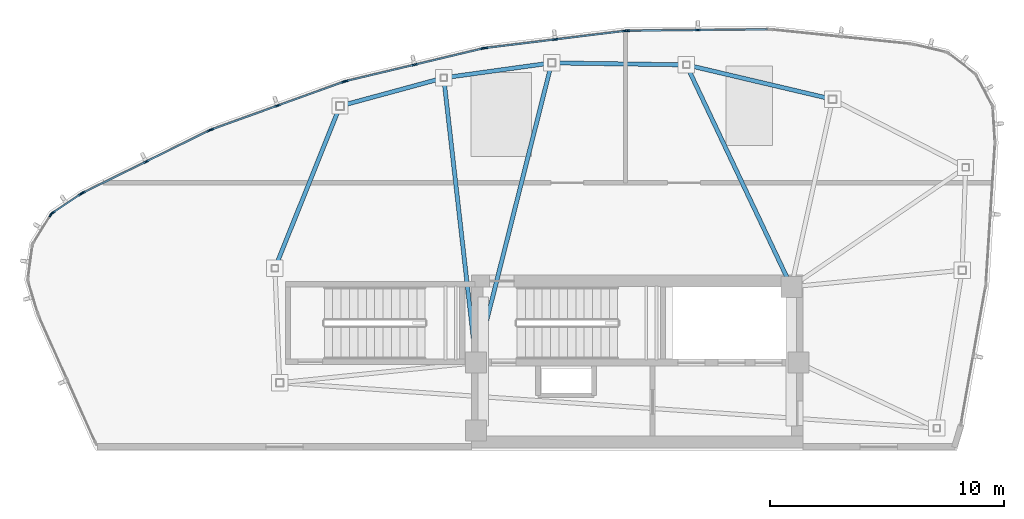
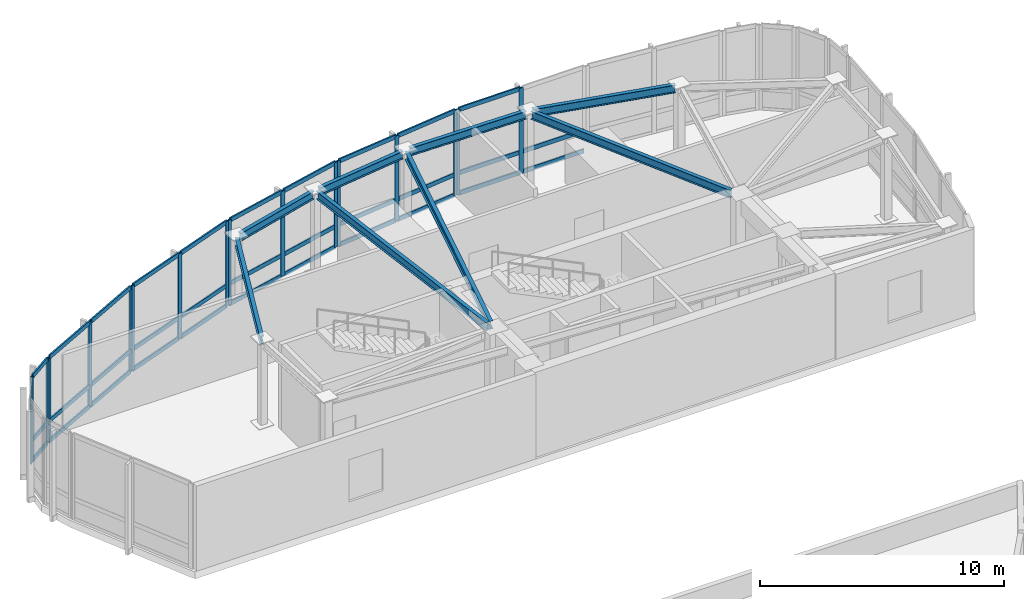
# One storey, part 4 of 11: 49 members, 8 beams, 7 elements without a shape of their own.
"""IFC4 building model written with IfcOpenShell, lengths in metres."""

from ifc_helpers import new_model, si_unit, direction, frame, origin, origin_2d, place, context, subcontext, project, spatial, hollow_rectangle, i_section, extrude, source, transform, mapped, material, layer, layer_set, material_profile, profile_set, type_object, type_shapes, element, aggregate, save


model = new_model("IFC4")

# Units and contexts
model_context = context("Model", 3, precision=1e-05, world=origin(), true_north=direction((0.0, 1.0)))
body_context = subcontext(model_context, "Body", "Model", "MODEL_VIEW")
ifc_project = project(units=[si_unit("LENGTHUNIT", "METRE"), si_unit("AREAUNIT", "SQUARE_METRE"), si_unit("VOLUMEUNIT", "CUBIC_METRE"), si_unit("PLANEANGLEUNIT", "RADIAN"), si_unit("MASSUNIT", "GRAM", prefix="KILO")], contexts=[model_context])

# Site, building, storey
site_placement = place(None, origin())
site = spatial("IfcSite", under=ifc_project, at=site_placement, CompositionType="ELEMENT")
building_placement = place(site_placement, origin())
building = spatial("IfcBuilding", under=site, at=building_placement, Name="Tavelor Broadcast Tower", CompositionType="ELEMENT")
storey_placement = place(building_placement, frame((0.0, 0.0, 345.89990234375)))
storey = spatial("IfcBuildingStorey", under=building, at=storey_placement, Name="L82", CompositionType="ELEMENT", Elevation=345.89990234375)

# Beams
ifc_material_1 = material(Name="Steel S355", Category="steel")
ifc_material_profile_1 = material_profile(ifc_material_1, i_section(OverallWidth=0.179931640625, OverallDepth=0.39990234375, WebThickness=0.008544921875, FlangeThickness=0.013427734375, at=origin_2d()), Name="IPE 400")
ifc_profile_set_1 = profile_set([ifc_material_profile_1], Name="Steel S355")
beam_type = type_object("IfcBeamType", Name="Crown Ring Spandrel Beam IPE400", PredefinedType="SPANDREL", material=ifc_profile_set_1)
beam_1_placement = place(storey_placement, frame((37.20654296875, 58.77197265625, 4.050048828125), z_axis=(-0.372319972441, -0.928104432767, 0.0), x_axis=(0.928104432767, -0.372319972441, 0.0)))
element("IfcBeam", 1, at=beam_1_placement, inside=storey, type_object=beam_type, Name="L82 Crown Peak A Ring Spandrel 1", PredefinedType="SPANDREL", context=body_context, shape_type="SweptSolid", body=[
    extrude(i_section(OverallWidth=0.179931640625, OverallDepth=0.39990234375, WebThickness=0.008544921875, FlangeThickness=0.013427734375, at=origin_2d()), origin(), (0.0, 0.0, 1.0), 7.1552734375),
])
beam_2_placement = place(storey_placement, frame((58.190185546875, 59.26708984375, 4.050048828125), z_axis=(-0.973331019838, 0.229405156485, 0.0), x_axis=(-0.229405156485, -0.973331019838, 0.0)))
element("IfcBeam", 2, at=beam_2_placement, inside=storey, type_object=beam_type, Name="L82 Crown Peak A Ring Spandrel 7", PredefinedType="SPANDREL", context=body_context, shape_type="SweptSolid", body=[
    extrude(i_section(OverallWidth=0.179931640625, OverallDepth=0.39990234375, WebThickness=0.008544921875, FlangeThickness=0.013427734375, at=origin_2d()), origin(), (0.0, 0.0, 1.0), 6.10009765625),
])
beam_3_placement = place(storey_placement, frame((51.950927734375, 60.703857421875, 4.050048828125), z_axis=(-0.999890824975, 0.01477626921, 0.0), x_axis=(-0.01477626921, -0.999890824975, 0.0)))
element("IfcBeam", 3, at=beam_3_placement, inside=storey, type_object=beam_type, Name="L82 Crown Peak A Ring Spandrel 8", PredefinedType="SPANDREL", context=body_context, shape_type="SweptSolid", body=[
    extrude(i_section(OverallWidth=0.179931640625, OverallDepth=0.39990234375, WebThickness=0.008544921875, FlangeThickness=0.013427734375, at=origin_2d()), origin(), (0.0, 0.0, 1.0), 5.435791015625),
])
beam_4_placement = place(storey_placement, frame((56.415283203125, 51.590576171875, 4.050048828125), z_axis=(-0.427748000898, 0.903898029497, 0.0), x_axis=(-0.903898029497, -0.427748000898, 0.0)))
element("IfcBeam", 4, at=beam_4_placement, inside=storey, type_object=beam_type, Name="L82 Crown Peak A Radial Beam 8", PredefinedType="SPANDREL", context=body_context, shape_type="SweptSolid", body=[
    extrude(i_section(OverallWidth=0.179931640625, OverallDepth=0.39990234375, WebThickness=0.008544921875, FlangeThickness=0.013427734375, at=origin_2d()), origin(), (0.0, 0.0, 1.0), 9.926513671875),
])
beam_5_placement = place(storey_placement, frame((46.160400390625, 60.762451171875, 4.050048828125), z_axis=(-0.990512514029, -0.13742255838, 0.0), x_axis=(0.13742255838, -0.990512514029, 0.0)))
element("IfcBeam", 5, at=beam_5_placement, inside=storey, type_object=beam_type, Name="L82 Crown Peak A Ring Spandrel 9", PredefinedType="SPANDREL", context=body_context, shape_type="SweptSolid", body=[
    extrude(i_section(OverallWidth=0.179931640625, OverallDepth=0.39990234375, WebThickness=0.008544921875, FlangeThickness=0.013427734375, at=origin_2d()), origin(), (0.0, 0.0, 1.0), 4.334716796875),
])
beam_6_placement = place(storey_placement, frame((43.20556640625, 48.368896484375, 4.050048828125), z_axis=(0.244522996769, 0.969643493275, 0.0), x_axis=(-0.969643493275, 0.244522996769, 0.0)))
element("IfcBeam", 6, at=beam_6_placement, inside=storey, type_object=beam_type, Name="L82 Crown Peak A Radial Beam 9", PredefinedType="SPANDREL", context=body_context, shape_type="SweptSolid", body=[
    extrude(i_section(OverallWidth=0.179931640625, OverallDepth=0.39990234375, WebThickness=0.008544921875, FlangeThickness=0.013427734375, at=origin_2d()), origin(), (0.0, 0.0, 1.0), 12.628173828125),
])
beam_7_placement = place(storey_placement, frame((41.5673828125, 60.105712890625, 4.050048828125), z_axis=(-0.964933753027, -0.262493528053, 0.0), x_axis=(0.262493528053, -0.964933753027, 0.0)))
element("IfcBeam", 7, at=beam_7_placement, inside=storey, type_object=beam_type, Name="L82 Crown Peak A Ring Spandrel 10", PredefinedType="SPANDREL", context=body_context, shape_type="SweptSolid", body=[
    extrude(i_section(OverallWidth=0.179931640625, OverallDepth=0.39990234375, WebThickness=0.008544921875, FlangeThickness=0.013427734375, at=origin_2d()), origin(), (0.0, 0.0, 1.0), 4.27197265625),
])
beam_8_placement = place(storey_placement, frame((43.05126953125, 48.379150390625, 4.050048828125), z_axis=(-0.112824398256, 0.993614943103, 0.0), x_axis=(-0.993614943103, -0.112824398256, 0.0)))
element("IfcBeam", 8, at=beam_8_placement, inside=storey, type_object=beam_type, Name="L82 Crown Peak A Radial Beam 10", PredefinedType="SPANDREL", context=body_context, shape_type="SweptSolid", body=[
    extrude(i_section(OverallWidth=0.179931640625, OverallDepth=0.39990234375, WebThickness=0.008544921875, FlangeThickness=0.013427734375, at=origin_2d()), origin(), (0.0, 0.0, 1.0), 11.689453125),
])

# Curtain wall, members
ifc_material_2 = material(Name="Architectural Anodized Aluminium", Category="aluminium")
ifc_layer = layer(ifc_material_2, 0.2099609375)
ifc_layer_set = layer_set([ifc_layer], Name="Architectural Anodized Aluminium")
curtain_wall_type = type_object("IfcCurtainWallType", Name="Split-Crown Beacon Curtain Wall CW06", PredefinedType="NOTDEFINED", material=ifc_layer_set)
curtain_wall_1_placement = place(storey_placement, origin())
curtain_wall_1 = element("IfcCurtainWall", 9, at=curtain_wall_1_placement, inside=storey, type_object=curtain_wall_type, Name="L82 Curtain Wall CW06 Run 962", PredefinedType="NOTDEFINED")
ifc_material_profile_2 = material_profile(ifc_material_2, hollow_rectangle(XDim=0.072021484375, YDim=0.2099609375, WallThickness=0.02197265625, at=origin_2d()), Name="RHS 72x210x22")
ifc_profile_set_2 = profile_set([ifc_material_profile_2], Name="Architectural Anodized Aluminium")
member_type_1 = type_object("IfcMemberType", Name="CW06 Extruded Aluminium Mullion 72x210", PredefinedType="MULLION", material=ifc_profile_set_2)
shared_shape_1 = source(origin(), body_context, "Body", "SweptSolid", [
    extrude(hollow_rectangle(XDim=0.072021484375, YDim=0.2099609375, WallThickness=0.02197265625, at=origin_2d()), origin(), (0.0, 0.0, 1.0), 4.25),
])
type_shapes(member_type_1, [shared_shape_1])
member_1_placement = place(storey_placement, frame((52.595947265625, 62.19189453125, 0.0), z_axis=(0.0, 0.0, 1.0), x_axis=(0.009638896471, -0.999953544758, 0.0)))
member_1 = element("IfcMember", 10, at=member_1_placement, type_object=member_type_1, Name="CW06 mullion 2", PredefinedType="MULLION", context=body_context, shape_type="MappedRepresentation", body=[
    mapped(shared_shape_1, transform((0.0, 0.0, 0.0), scale=1.0)),
])
member_2_placement = place(storey_placement, frame((49.581787109375, 62.162841796875, 0.0), z_axis=(0.0, 0.0, 1.0), x_axis=(0.009638896471, -0.999953544758, 0.0)))
member_2 = element("IfcMember", 11, at=member_2_placement, type_object=member_type_1, Name="CW06 mullion 3", PredefinedType="MULLION", context=body_context, shape_type="MappedRepresentation", body=[
    mapped(shared_shape_1, transform((0.0, 0.0, 0.0), scale=1.0)),
])

curtain_wall_2_placement = place(storey_placement, origin())
curtain_wall_2 = element("IfcCurtainWall", 12, at=curtain_wall_2_placement, inside=storey, type_object=curtain_wall_type, Name="L82 Curtain Wall CW06 Run 963", PredefinedType="NOTDEFINED")
member_3_placement = place(storey_placement, frame((49.480224609375, 62.15625, 0.0), z_axis=(0.0, 0.0, 1.0), x_axis=(0.121601178033, -0.992579041437, 0.0)))
member_3 = element("IfcMember", 13, at=member_3_placement, type_object=member_type_1, Name="CW06 mullion 1", PredefinedType="MULLION", context=body_context, shape_type="MappedRepresentation", body=[
    mapped(shared_shape_1, transform((0.0, 0.0, 0.0), scale=1.0)),
])
member_4_placement = place(storey_placement, frame((46.488525390625, 61.789794921875, 0.0), z_axis=(0.0, 0.0, 1.0), x_axis=(0.121601178033, -0.992579041437, 0.0)))
member_4 = element("IfcMember", 14, at=member_4_placement, type_object=member_type_1, Name="CW06 mullion 2", PredefinedType="MULLION", context=body_context, shape_type="MappedRepresentation", body=[
    mapped(shared_shape_1, transform((0.0, 0.0, 0.0), scale=1.0)),
])
member_5_placement = place(storey_placement, frame((43.496826171875, 61.42333984375, 0.0), z_axis=(0.0, 0.0, 1.0), x_axis=(0.121601178033, -0.992579041437, 0.0)))
member_5 = element("IfcMember", 15, at=member_5_placement, type_object=member_type_1, Name="CW06 mullion 3", PredefinedType="MULLION", context=body_context, shape_type="MappedRepresentation", body=[
    mapped(shared_shape_1, transform((0.0, 0.0, 0.0), scale=1.0)),
])

curtain_wall_3_placement = place(storey_placement, origin())
curtain_wall_3 = element("IfcCurtainWall", 16, at=curtain_wall_3_placement, inside=storey, type_object=curtain_wall_type, Name="L82 Curtain Wall CW06 Run 964", PredefinedType="NOTDEFINED")
member_6_placement = place(storey_placement, frame((43.396484375, 61.4052734375, 0.0), z_axis=(0.0, 0.0, 1.0), x_axis=(0.232022375115, -0.972710448924, 0.0)))
member_6 = element("IfcMember", 17, at=member_6_placement, type_object=member_type_1, Name="CW06 mullion 1", PredefinedType="MULLION", context=body_context, shape_type="MappedRepresentation", body=[
    mapped(shared_shape_1, transform((0.0, 0.0, 0.0), scale=1.0)),
])
member_7_placement = place(storey_placement, frame((40.464599609375, 60.705810546875, 0.0), z_axis=(0.0, 0.0, 1.0), x_axis=(0.232022375115, -0.972710448924, 0.0)))
member_7 = element("IfcMember", 18, at=member_7_placement, type_object=member_type_1, Name="CW06 mullion 2", PredefinedType="MULLION", context=body_context, shape_type="MappedRepresentation", body=[
    mapped(shared_shape_1, transform((0.0, 0.0, 0.0), scale=1.0)),
])
member_8_placement = place(storey_placement, frame((37.53271484375, 60.006591796875, 0.0), z_axis=(0.0, 0.0, 1.0), x_axis=(0.232022375115, -0.972710448924, 0.0)))
member_8 = element("IfcMember", 19, at=member_8_placement, type_object=member_type_1, Name="CW06 mullion 3", PredefinedType="MULLION", context=body_context, shape_type="MappedRepresentation", body=[
    mapped(shared_shape_1, transform((0.0, 0.0, 0.0), scale=1.0)),
])

curtain_wall_4_placement = place(storey_placement, origin())
curtain_wall_4 = element("IfcCurtainWall", 20, at=curtain_wall_4_placement, inside=storey, type_object=curtain_wall_type, Name="L82 Curtain Wall CW06 Run 965", PredefinedType="NOTDEFINED")
member_9_placement = place(storey_placement, frame((37.43505859375, 59.9775390625, 0.0), z_axis=(0.0, 0.0, 1.0), x_axis=(0.339525627966, -0.940596804138, 0.0)))
member_9 = element("IfcMember", 21, at=member_9_placement, type_object=member_type_1, Name="CW06 mullion 1", PredefinedType="MULLION", context=body_context, shape_type="MappedRepresentation", body=[
    mapped(shared_shape_1, transform((0.0, 0.0, 0.0), scale=1.0)),
])
member_10_placement = place(storey_placement, frame((34.60009765625, 58.9541015625, 0.0), z_axis=(0.0, 0.0, 1.0), x_axis=(0.339525627966, -0.940596804138, 0.0)))
member_10 = element("IfcMember", 22, at=member_10_placement, type_object=member_type_1, Name="CW06 mullion 2", PredefinedType="MULLION", context=body_context, shape_type="MappedRepresentation", body=[
    mapped(shared_shape_1, transform((0.0, 0.0, 0.0), scale=1.0)),
])
member_11_placement = place(storey_placement, frame((31.764892578125, 57.9306640625, 0.0), z_axis=(0.0, 0.0, 1.0), x_axis=(0.339525627966, -0.940596804138, 0.0)))
member_11 = element("IfcMember", 23, at=member_11_placement, type_object=member_type_1, Name="CW06 mullion 3", PredefinedType="MULLION", context=body_context, shape_type="MappedRepresentation", body=[
    mapped(shared_shape_1, transform((0.0, 0.0, 0.0), scale=1.0)),
])

curtain_wall_5_placement = place(storey_placement, origin())
curtain_wall_5 = element("IfcCurtainWall", 24, at=curtain_wall_5_placement, inside=storey, type_object=curtain_wall_type, Name="L82 Curtain Wall CW06 Run 966", PredefinedType="NOTDEFINED")
member_12_placement = place(storey_placement, frame((31.67138671875, 57.890869140625, 0.0), z_axis=(0.0, 0.0, 1.0), x_axis=(0.442741743932, -0.896649177873, 0.0)))
member_12 = element("IfcMember", 25, at=member_12_placement, type_object=member_type_1, Name="CW06 mullion 1", PredefinedType="MULLION", context=body_context, shape_type="MappedRepresentation", body=[
    mapped(shared_shape_1, transform((0.0, 0.0, 0.0), scale=1.0)),
])
member_13_placement = place(storey_placement, frame((28.96923828125, 56.556640625, 0.0), z_axis=(0.0, 0.0, 1.0), x_axis=(0.442741743932, -0.896649177873, 0.0)))
member_13 = element("IfcMember", 26, at=member_13_placement, type_object=member_type_1, Name="CW06 mullion 2", PredefinedType="MULLION", context=body_context, shape_type="MappedRepresentation", body=[
    mapped(shared_shape_1, transform((0.0, 0.0, 0.0), scale=1.0)),
])
member_14_placement = place(storey_placement, frame((26.26708984375, 55.222412109375, 0.0), z_axis=(0.0, 0.0, 1.0), x_axis=(0.442741743932, -0.896649177873, 0.0)))
member_14 = element("IfcMember", 27, at=member_14_placement, type_object=member_type_1, Name="CW06 mullion 3", PredefinedType="MULLION", context=body_context, shape_type="MappedRepresentation", body=[
    mapped(shared_shape_1, transform((0.0, 0.0, 0.0), scale=1.0)),
])

curtain_wall_6_placement = place(storey_placement, origin())
curtain_wall_6 = element("IfcCurtainWall", 28, at=curtain_wall_6_placement, inside=storey, type_object=curtain_wall_type, Name="L82 Curtain Wall CW06 Run 967", PredefinedType="NOTDEFINED")
member_15_placement = place(storey_placement, frame((26.178955078125, 55.17138671875, 0.0), z_axis=(0.0, 0.0, 1.0), x_axis=(0.555589095305, -0.831457008617, 0.0)))
member_15 = element("IfcMember", 29, at=member_15_placement, type_object=member_type_1, Name="CW06 mullion 1", PredefinedType="MULLION", context=body_context, shape_type="MappedRepresentation", body=[
    mapped(shared_shape_1, transform((0.0, 0.0, 0.0), scale=1.0)),
])
member_16_placement = place(storey_placement, frame((24.9658203125, 54.360595703125, 0.0), z_axis=(0.0, 0.0, 1.0), x_axis=(0.555589095305, -0.831457008617, 0.0)))
member_16 = element("IfcMember", 30, at=member_16_placement, type_object=member_type_1, Name="CW06 mullion 2", PredefinedType="MULLION", context=body_context, shape_type="MappedRepresentation", body=[
    mapped(shared_shape_1, transform((0.0, 0.0, 0.0), scale=1.0)),
])

# Curtain wall, member
curtain_wall_7_placement = place(storey_placement, origin())
curtain_wall_7 = element("IfcCurtainWall", 31, at=curtain_wall_7_placement, inside=storey, type_object=curtain_wall_type, Name="L82 Curtain Wall CW06 Run 968", PredefinedType="NOTDEFINED")
member_17_placement = place(storey_placement, frame((24.896484375, 54.2890625, 0.0), z_axis=(0.0, 0.0, 1.0), x_axis=(0.848526144151, -0.529153458548, 0.0)))
member_17 = element("IfcMember", 32, at=member_17_placement, type_object=member_type_1, Name="CW06 mullion 1", PredefinedType="MULLION", context=body_context, shape_type="MappedRepresentation", body=[
    mapped(shared_shape_1, transform((0.0, 0.0, 0.0), scale=1.0)),
])
aggregate(curtain_wall_7, [member_17])

# Member
ifc_material_profile_3 = material_profile(ifc_material_2, hollow_rectangle(XDim=0.072021484375, YDim=0.2099609375, WallThickness=0.02197265625, at=origin_2d()), Name="RHS 72x210x22")
ifc_profile_set_3 = profile_set([ifc_material_profile_3], Name="Architectural Anodized Aluminium")
member_type_2 = type_object("IfcMemberType", Name="CW06 Extruded Aluminium Transom 72x210", PredefinedType="USERDEFINED", material=ifc_profile_set_3)
shared_shape_2 = source(origin(), body_context, "Body", "SweptSolid", [
    extrude(hollow_rectangle(XDim=0.072021484375, YDim=0.2099609375, WallThickness=0.02197265625, at=origin_2d()), origin(), (0.0, 0.0, 1.0), 2.941650390625),
])
member_18_placement = place(storey_placement, frame((31.63916015625, 57.874755859375, 0.0361328125), z_axis=(-0.89667324781, -0.442692993689, 0.0), x_axis=(0.442692993689, -0.89667324781, 0.0)))
member_18 = element("IfcMember", 33, at=member_18_placement, type_object=member_type_2, Name="CW06 transom 1.1", ObjectType="TRANSOM", PredefinedType="USERDEFINED", context=body_context, shape_type="MappedRepresentation", body=[
    mapped(shared_shape_2, transform((0.0, 0.0, 0.0), scale=1.0)),
])

member_19_placement = place(storey_placement, frame((31.63916015625, 57.874755859375, 1.050048828125), z_axis=(-0.89667324781, -0.442692993689, 0.0), x_axis=(0.442692993689, -0.89667324781, 0.0)))
member_19 = element("IfcMember", 34, at=member_19_placement, type_object=member_type_2, Name="CW06 transom 1.2", ObjectType="TRANSOM", PredefinedType="USERDEFINED", context=body_context, shape_type="MappedRepresentation", body=[
    mapped(shared_shape_2, transform((0.0, 0.0, 0.0), scale=1.0)),
])

member_20_placement = place(storey_placement, frame((31.63916015625, 57.874755859375, 4.214111328125), z_axis=(-0.89667324781, -0.442692993689, 0.0), x_axis=(0.442692993689, -0.89667324781, 0.0)))
member_20 = element("IfcMember", 35, at=member_20_placement, type_object=member_type_2, Name="CW06 transom 1.3", ObjectType="TRANSOM", PredefinedType="USERDEFINED", context=body_context, shape_type="MappedRepresentation", body=[
    mapped(shared_shape_2, transform((0.0, 0.0, 0.0), scale=1.0)),
])

shared_shape_3 = source(origin(), body_context, "Body", "SweptSolid", [
    extrude(hollow_rectangle(XDim=0.072021484375, YDim=0.2099609375, WallThickness=0.02197265625, at=origin_2d()), origin(), (0.0, 0.0, 1.0), 1.38720703125),
])
member_21_placement = place(storey_placement, frame((26.149169921875, 55.1513671875, 0.0361328125), z_axis=(-0.831426998464, -0.555634003842, 0.0), x_axis=(0.555634003842, -0.831426998464, 0.0)))
member_21 = element("IfcMember", 36, at=member_21_placement, type_object=member_type_2, Name="CW06 transom 1.1", ObjectType="TRANSOM", PredefinedType="USERDEFINED", context=body_context, shape_type="MappedRepresentation", body=[
    mapped(shared_shape_3, transform((0.0, 0.0, 0.0), scale=1.0)),
])

member_22_placement = place(storey_placement, frame((26.149169921875, 55.1513671875, 1.050048828125), z_axis=(-0.831426998464, -0.555634003842, 0.0), x_axis=(0.555634003842, -0.831426998464, 0.0)))
member_22 = element("IfcMember", 37, at=member_22_placement, type_object=member_type_2, Name="CW06 transom 1.2", ObjectType="TRANSOM", PredefinedType="USERDEFINED", context=body_context, shape_type="MappedRepresentation", body=[
    mapped(shared_shape_3, transform((0.0, 0.0, 0.0), scale=1.0)),
])

member_23_placement = place(storey_placement, frame((26.149169921875, 55.1513671875, 4.214111328125), z_axis=(-0.831426998464, -0.555634003842, 0.0), x_axis=(0.555634003842, -0.831426998464, 0.0)))
member_23 = element("IfcMember", 38, at=member_23_placement, type_object=member_type_2, Name="CW06 transom 1.3", ObjectType="TRANSOM", PredefinedType="USERDEFINED", context=body_context, shape_type="MappedRepresentation", body=[
    mapped(shared_shape_3, transform((0.0, 0.0, 0.0), scale=1.0)),
])

aggregate(curtain_wall_6, [member_15, member_16, member_21, member_22, member_23])

shared_shape_4 = source(origin(), body_context, "Body", "SweptSolid", [
    extrude(hollow_rectangle(XDim=0.072021484375, YDim=0.2099609375, WallThickness=0.02197265625, at=origin_2d()), origin(), (0.0, 0.0, 1.0), 2.94140625),
])
member_24_placement = place(storey_placement, frame((28.93701171875, 56.54052734375, 0.0361328125), z_axis=(-0.896656980962, -0.442725940614, 0.0), x_axis=(0.442725940614, -0.896656980962, 0.0)))
member_24 = element("IfcMember", 39, at=member_24_placement, type_object=member_type_2, Name="CW06 transom 2.1", ObjectType="TRANSOM", PredefinedType="USERDEFINED", context=body_context, shape_type="MappedRepresentation", body=[
    mapped(shared_shape_4, transform((0.0, 0.0, 0.0), scale=1.0)),
])

member_25_placement = place(storey_placement, frame((28.93701171875, 56.54052734375, 1.050048828125), z_axis=(-0.896656980962, -0.442725940614, 0.0), x_axis=(0.442725940614, -0.896656980962, 0.0)))
member_25 = element("IfcMember", 40, at=member_25_placement, type_object=member_type_2, Name="CW06 transom 2.2", ObjectType="TRANSOM", PredefinedType="USERDEFINED", context=body_context, shape_type="MappedRepresentation", body=[
    mapped(shared_shape_4, transform((0.0, 0.0, 0.0), scale=1.0)),
])

member_26_placement = place(storey_placement, frame((28.93701171875, 56.54052734375, 4.214111328125), z_axis=(-0.896656980962, -0.442725940614, 0.0), x_axis=(0.442725940614, -0.896656980962, 0.0)))
member_26 = element("IfcMember", 41, at=member_26_placement, type_object=member_type_2, Name="CW06 transom 2.3", ObjectType="TRANSOM", PredefinedType="USERDEFINED", context=body_context, shape_type="MappedRepresentation", body=[
    mapped(shared_shape_4, transform((0.0, 0.0, 0.0), scale=1.0)),
])

aggregate(curtain_wall_5, [member_12, member_13, member_14, member_18, member_19, member_20, member_24, member_25, member_26])

shared_shape_5 = source(origin(), body_context, "Body", "SweptSolid", [
    extrude(hollow_rectangle(XDim=0.072021484375, YDim=0.2099609375, WallThickness=0.02197265625, at=origin_2d()), origin(), (0.0, 0.0, 1.0), 2.9423828125),
])
member_27_placement = place(storey_placement, frame((55.573974609375, 62.220703125, 0.0361328125), z_axis=(-0.999953675618, -0.009625311291, 0.0), x_axis=(0.009625311291, -0.999953675618, 0.0)))
member_27 = element("IfcMember", 42, at=member_27_placement, type_object=member_type_2, Name="CW06 transom 1.1", ObjectType="TRANSOM", PredefinedType="USERDEFINED", context=body_context, shape_type="MappedRepresentation", body=[
    mapped(shared_shape_5, transform((0.0, 0.0, 0.0), scale=1.0)),
])

member_28_placement = place(storey_placement, frame((55.573974609375, 62.220703125, 1.050048828125), z_axis=(-0.999953675618, -0.009625311291, 0.0), x_axis=(0.009625311291, -0.999953675618, 0.0)))
member_28 = element("IfcMember", 43, at=member_28_placement, type_object=member_type_2, Name="CW06 transom 1.2", ObjectType="TRANSOM", PredefinedType="USERDEFINED", context=body_context, shape_type="MappedRepresentation", body=[
    mapped(shared_shape_5, transform((0.0, 0.0, 0.0), scale=1.0)),
])

member_29_placement = place(storey_placement, frame((43.361572265625, 61.39697265625, 0.0361328125), z_axis=(-0.972716222091, -0.231998170858, 0.0), x_axis=(0.231998170858, -0.972716222091, 0.0)))
member_29 = element("IfcMember", 44, at=member_29_placement, type_object=member_type_2, Name="CW06 transom 1.1", ObjectType="TRANSOM", PredefinedType="USERDEFINED", context=body_context, shape_type="MappedRepresentation", body=[
    mapped(shared_shape_5, transform((0.0, 0.0, 0.0), scale=1.0)),
])

member_30_placement = place(storey_placement, frame((43.361572265625, 61.39697265625, 1.050048828125), z_axis=(-0.972716222091, -0.231998170858, 0.0), x_axis=(0.231998170858, -0.972716222091, 0.0)))
member_30 = element("IfcMember", 45, at=member_30_placement, type_object=member_type_2, Name="CW06 transom 1.2", ObjectType="TRANSOM", PredefinedType="USERDEFINED", context=body_context, shape_type="MappedRepresentation", body=[
    mapped(shared_shape_5, transform((0.0, 0.0, 0.0), scale=1.0)),
])

member_31_placement = place(storey_placement, frame((43.361572265625, 61.39697265625, 4.214111328125), z_axis=(-0.972716222091, -0.231998170858, 0.0), x_axis=(0.231998170858, -0.972716222091, 0.0)))
member_31 = element("IfcMember", 46, at=member_31_placement, type_object=member_type_2, Name="CW06 transom 1.3", ObjectType="TRANSOM", PredefinedType="USERDEFINED", context=body_context, shape_type="MappedRepresentation", body=[
    mapped(shared_shape_5, transform((0.0, 0.0, 0.0), scale=1.0)),
])

member_32_placement = place(storey_placement, frame((40.4296875, 60.697509765625, 0.0361328125), z_axis=(-0.972716222091, -0.231998170858, 0.0), x_axis=(0.231998170858, -0.972716222091, 0.0)))
member_32 = element("IfcMember", 47, at=member_32_placement, type_object=member_type_2, Name="CW06 transom 2.1", ObjectType="TRANSOM", PredefinedType="USERDEFINED", context=body_context, shape_type="MappedRepresentation", body=[
    mapped(shared_shape_5, transform((0.0, 0.0, 0.0), scale=1.0)),
])

member_33_placement = place(storey_placement, frame((40.4296875, 60.697509765625, 1.050048828125), z_axis=(-0.972716222091, -0.231998170858, 0.0), x_axis=(0.231998170858, -0.972716222091, 0.0)))
member_33 = element("IfcMember", 48, at=member_33_placement, type_object=member_type_2, Name="CW06 transom 2.2", ObjectType="TRANSOM", PredefinedType="USERDEFINED", context=body_context, shape_type="MappedRepresentation", body=[
    mapped(shared_shape_5, transform((0.0, 0.0, 0.0), scale=1.0)),
])

member_34_placement = place(storey_placement, frame((40.4296875, 60.697509765625, 4.214111328125), z_axis=(-0.972716222091, -0.231998170858, 0.0), x_axis=(0.231998170858, -0.972716222091, 0.0)))
member_34 = element("IfcMember", 49, at=member_34_placement, type_object=member_type_2, Name="CW06 transom 2.3", ObjectType="TRANSOM", PredefinedType="USERDEFINED", context=body_context, shape_type="MappedRepresentation", body=[
    mapped(shared_shape_5, transform((0.0, 0.0, 0.0), scale=1.0)),
])

aggregate(curtain_wall_3, [member_6, member_7, member_8, member_29, member_30, member_31, member_32, member_33, member_34])

shared_shape_6 = source(origin(), body_context, "Body", "SweptSolid", [
    extrude(hollow_rectangle(XDim=0.072021484375, YDim=0.2099609375, WallThickness=0.02197265625, at=origin_2d()), origin(), (0.0, 0.0, 1.0), 2.942138671875),
])
type_shapes(member_type_2, [shared_shape_2, shared_shape_3, shared_shape_4, shared_shape_5, shared_shape_6])
member_35_placement = place(storey_placement, frame((52.559814453125, 62.191650390625, 0.0361328125), z_axis=(-0.99995366793, -0.009626109998, 0.0), x_axis=(0.009626109998, -0.99995366793, 0.0)))
member_35 = element("IfcMember", 50, at=member_35_placement, type_object=member_type_2, Name="CW06 transom 2.1", ObjectType="TRANSOM", PredefinedType="USERDEFINED", context=body_context, shape_type="MappedRepresentation", body=[
    mapped(shared_shape_6, transform((0.0, 0.0, 0.0), scale=1.0)),
])

member_36_placement = place(storey_placement, frame((52.559814453125, 62.191650390625, 1.050048828125), z_axis=(-0.99995366793, -0.009626109998, 0.0), x_axis=(0.009626109998, -0.99995366793, 0.0)))
member_36 = element("IfcMember", 51, at=member_36_placement, type_object=member_type_2, Name="CW06 transom 2.2", ObjectType="TRANSOM", PredefinedType="USERDEFINED", context=body_context, shape_type="MappedRepresentation", body=[
    mapped(shared_shape_6, transform((0.0, 0.0, 0.0), scale=1.0)),
])

member_37_placement = place(storey_placement, frame((52.559814453125, 62.191650390625, 4.214111328125), z_axis=(-0.99995366793, -0.009626109998, 0.0), x_axis=(0.009626109998, -0.99995366793, 0.0)))
member_37 = element("IfcMember", 52, at=member_37_placement, type_object=member_type_2, Name="CW06 transom 2.3", ObjectType="TRANSOM", PredefinedType="USERDEFINED", context=body_context, shape_type="MappedRepresentation", body=[
    mapped(shared_shape_6, transform((0.0, 0.0, 0.0), scale=1.0)),
])

aggregate(curtain_wall_1, [member_1, member_2, member_27, member_28, member_35, member_36, member_37])

member_38_placement = place(storey_placement, frame((49.444580078125, 62.15185546875, 0.0361328125), z_axis=(-0.992583732615, -0.12156287981, 0.0), x_axis=(0.12156287981, -0.992583732615, 0.0)))
member_38 = element("IfcMember", 53, at=member_38_placement, type_object=member_type_2, Name="CW06 transom 1.1", ObjectType="TRANSOM", PredefinedType="USERDEFINED", context=body_context, shape_type="MappedRepresentation", body=[
    mapped(shared_shape_6, transform((0.0, 0.0, 0.0), scale=1.0)),
])

member_39_placement = place(storey_placement, frame((49.444580078125, 62.15185546875, 1.050048828125), z_axis=(-0.992583732615, -0.12156287981, 0.0), x_axis=(0.12156287981, -0.992583732615, 0.0)))
member_39 = element("IfcMember", 54, at=member_39_placement, type_object=member_type_2, Name="CW06 transom 1.2", ObjectType="TRANSOM", PredefinedType="USERDEFINED", context=body_context, shape_type="MappedRepresentation", body=[
    mapped(shared_shape_6, transform((0.0, 0.0, 0.0), scale=1.0)),
])

member_40_placement = place(storey_placement, frame((49.444580078125, 62.15185546875, 4.214111328125), z_axis=(-0.992583732615, -0.12156287981, 0.0), x_axis=(0.12156287981, -0.992583732615, 0.0)))
member_40 = element("IfcMember", 55, at=member_40_placement, type_object=member_type_2, Name="CW06 transom 1.3", ObjectType="TRANSOM", PredefinedType="USERDEFINED", context=body_context, shape_type="MappedRepresentation", body=[
    mapped(shared_shape_6, transform((0.0, 0.0, 0.0), scale=1.0)),
])

member_41_placement = place(storey_placement, frame((46.452880859375, 61.785400390625, 0.0361328125), z_axis=(-0.992583732615, -0.12156287981, 0.0), x_axis=(0.12156287981, -0.992583732615, 0.0)))
member_41 = element("IfcMember", 56, at=member_41_placement, type_object=member_type_2, Name="CW06 transom 2.1", ObjectType="TRANSOM", PredefinedType="USERDEFINED", context=body_context, shape_type="MappedRepresentation", body=[
    mapped(shared_shape_6, transform((0.0, 0.0, 0.0), scale=1.0)),
])

member_42_placement = place(storey_placement, frame((46.452880859375, 61.785400390625, 1.050048828125), z_axis=(-0.992583732615, -0.12156287981, 0.0), x_axis=(0.12156287981, -0.992583732615, 0.0)))
member_42 = element("IfcMember", 57, at=member_42_placement, type_object=member_type_2, Name="CW06 transom 2.2", ObjectType="TRANSOM", PredefinedType="USERDEFINED", context=body_context, shape_type="MappedRepresentation", body=[
    mapped(shared_shape_6, transform((0.0, 0.0, 0.0), scale=1.0)),
])

member_43_placement = place(storey_placement, frame((46.452880859375, 61.785400390625, 4.214111328125), z_axis=(-0.992583732615, -0.12156287981, 0.0), x_axis=(0.12156287981, -0.992583732615, 0.0)))
member_43 = element("IfcMember", 58, at=member_43_placement, type_object=member_type_2, Name="CW06 transom 2.3", ObjectType="TRANSOM", PredefinedType="USERDEFINED", context=body_context, shape_type="MappedRepresentation", body=[
    mapped(shared_shape_6, transform((0.0, 0.0, 0.0), scale=1.0)),
])

aggregate(curtain_wall_2, [member_3, member_4, member_5, member_38, member_39, member_40, member_41, member_42, member_43])

member_44_placement = place(storey_placement, frame((37.4013671875, 59.96533203125, 0.0361328125), z_axis=(-0.940585558525, -0.339556780369, 0.0), x_axis=(0.339556780369, -0.940585558525, 0.0)))
member_44 = element("IfcMember", 59, at=member_44_placement, type_object=member_type_2, Name="CW06 transom 1.1", ObjectType="TRANSOM", PredefinedType="USERDEFINED", context=body_context, shape_type="MappedRepresentation", body=[
    mapped(shared_shape_6, transform((0.0, 0.0, 0.0), scale=1.0)),
])

member_45_placement = place(storey_placement, frame((37.4013671875, 59.96533203125, 1.050048828125), z_axis=(-0.940585558525, -0.339556780369, 0.0), x_axis=(0.339556780369, -0.940585558525, 0.0)))
member_45 = element("IfcMember", 60, at=member_45_placement, type_object=member_type_2, Name="CW06 transom 1.2", ObjectType="TRANSOM", PredefinedType="USERDEFINED", context=body_context, shape_type="MappedRepresentation", body=[
    mapped(shared_shape_6, transform((0.0, 0.0, 0.0), scale=1.0)),
])

member_46_placement = place(storey_placement, frame((37.4013671875, 59.96533203125, 4.214111328125), z_axis=(-0.940585558525, -0.339556780369, 0.0), x_axis=(0.339556780369, -0.940585558525, 0.0)))
member_46 = element("IfcMember", 61, at=member_46_placement, type_object=member_type_2, Name="CW06 transom 1.3", ObjectType="TRANSOM", PredefinedType="USERDEFINED", context=body_context, shape_type="MappedRepresentation", body=[
    mapped(shared_shape_6, transform((0.0, 0.0, 0.0), scale=1.0)),
])

member_47_placement = place(storey_placement, frame((34.566162109375, 58.94189453125, 0.0361328125), z_axis=(-0.940585558525, -0.339556780369, 0.0), x_axis=(0.339556780369, -0.940585558525, 0.0)))
member_47 = element("IfcMember", 62, at=member_47_placement, type_object=member_type_2, Name="CW06 transom 2.1", ObjectType="TRANSOM", PredefinedType="USERDEFINED", context=body_context, shape_type="MappedRepresentation", body=[
    mapped(shared_shape_6, transform((0.0, 0.0, 0.0), scale=1.0)),
])

member_48_placement = place(storey_placement, frame((34.566162109375, 58.94189453125, 1.050048828125), z_axis=(-0.940585558525, -0.339556780369, 0.0), x_axis=(0.339556780369, -0.940585558525, 0.0)))
member_48 = element("IfcMember", 63, at=member_48_placement, type_object=member_type_2, Name="CW06 transom 2.2", ObjectType="TRANSOM", PredefinedType="USERDEFINED", context=body_context, shape_type="MappedRepresentation", body=[
    mapped(shared_shape_6, transform((0.0, 0.0, 0.0), scale=1.0)),
])

member_49_placement = place(storey_placement, frame((34.566162109375, 58.94189453125, 4.214111328125), z_axis=(-0.940585558525, -0.339556780369, 0.0), x_axis=(0.339556780369, -0.940585558525, 0.0)))
member_49 = element("IfcMember", 64, at=member_49_placement, type_object=member_type_2, Name="CW06 transom 2.3", ObjectType="TRANSOM", PredefinedType="USERDEFINED", context=body_context, shape_type="MappedRepresentation", body=[
    mapped(shared_shape_6, transform((0.0, 0.0, 0.0), scale=1.0)),
])

aggregate(curtain_wall_4, [member_9, member_10, member_11, member_44, member_45, member_46, member_47, member_48, member_49])

save(model, "model.ifc")
